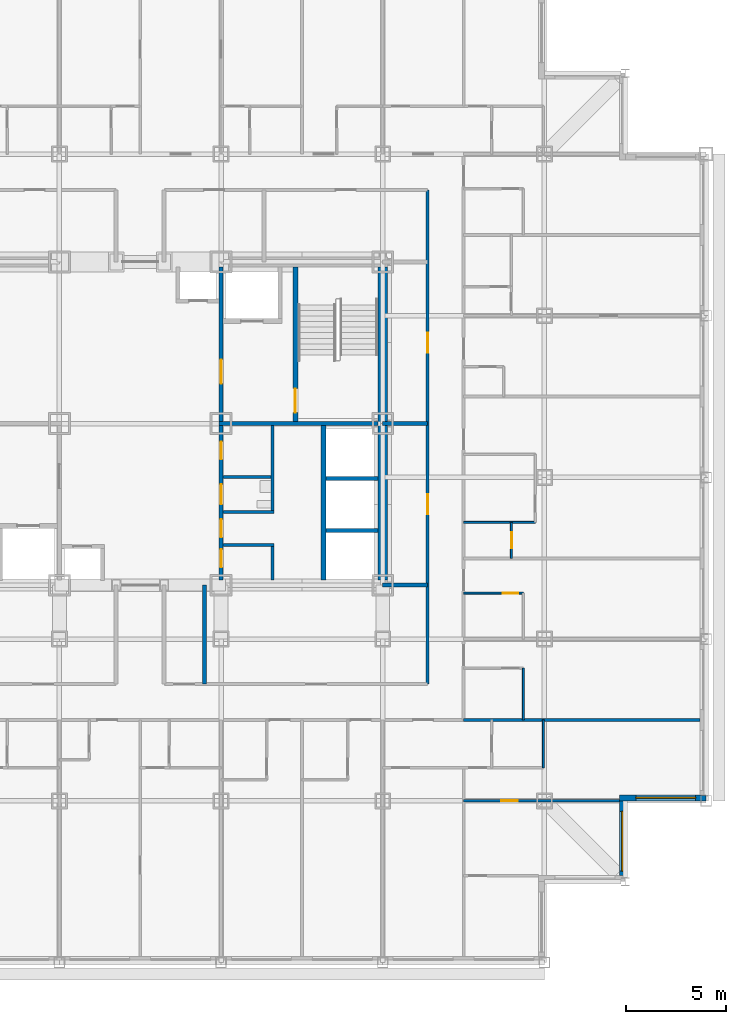
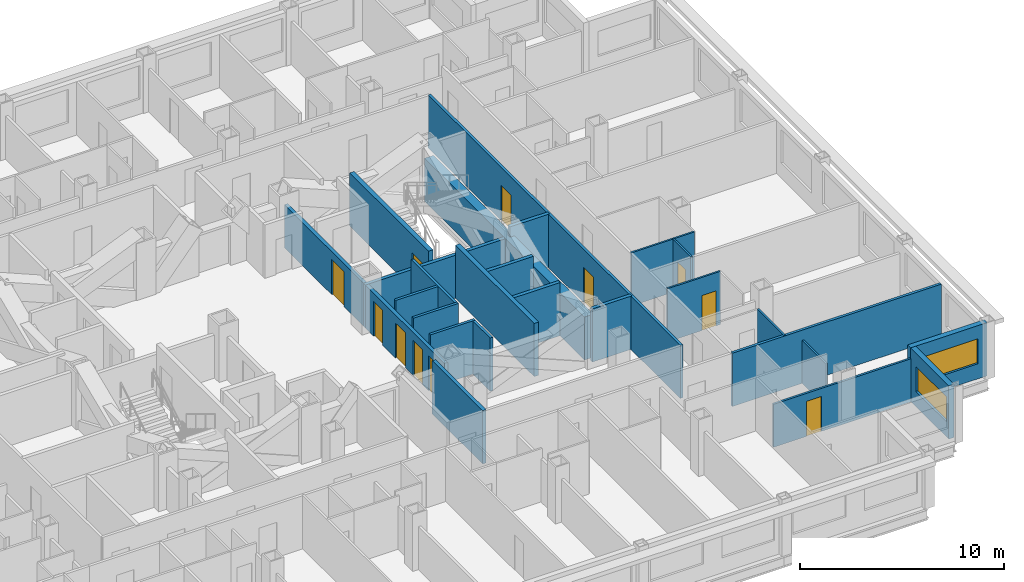
# One storey, part 8 of 15: 26 walls, 11 doors, 2 windows, 13 openings.
"""IFC4 building model written with IfcOpenShell, lengths in metres."""

import ifcopenshell
import ifcopenshell.guid

model = None  # the IFC model being written
_history = None  # IfcOwnerHistory: only IFC2X3 demands one
_inside = {}  # id of a spatial element -> (the spatial element, [elements in it])
_under = {}  # id of a project, library or spatial element -> (it, [spatial elements below it])
_declared = {}  # id of a project -> (the project, [libraries it declares])
_typed = {}  # id of a type object -> (the type object, [elements of that type])
_made_of = {}  # id of a material, layer set ... -> (it, [elements and type objects made of it])


def new_model(schema):
    """Start an empty IFC model of exactly this schema.

    Asked for "IFC4X3", IfcOpenShell would pick the latest addendum, in which some entities
    have other attributes; the version numbers below select the first issue.
    IFC2X3 requires an IfcOwnerHistory on every rooted entity: one is made here for all.
    """
    global model, _history
    if schema == "IFC4X3":
        model = ifcopenshell.file(schema_version=(4, 3, 0, 0))
    else:
        model = ifcopenshell.file(schema=schema)
    _inside.clear()
    _under.clear()
    _declared.clear()
    _typed.clear()
    _made_of.clear()
    _history = None
    if model.schema == "IFC2X3":
        org = make("IfcOrganization", Name="unknown")
        user = make(
            "IfcPersonAndOrganization",
            ThePerson=make("IfcPerson", FamilyName="unknown"),
            TheOrganization=org,
        )
        app = make(
            "IfcApplication",
            ApplicationDeveloper=org,
            Version="unknown",
            ApplicationFullName="unknown",
            ApplicationIdentifier="unknown",
        )
        _history = make(
            "IfcOwnerHistory",
            OwningUser=user,
            OwningApplication=app,
            ChangeAction="ADDED",
            CreationDate=0,
        )
    return model


def make(cls, **values):
    """One entity of the class cls with the attributes given. An attribute that is None is left unset."""
    return model.create_entity(
        cls, **{name: value for name, value in values.items() if value is not None}
    )


def rooted(cls, **values):
    """An entity with a GlobalId (a new one), such as an element, a storey or a relation."""
    return make(cls, GlobalId=ifcopenshell.guid.new(), OwnerHistory=_history, **values)


def si_unit(unit_type, name, prefix=None):
    """IfcSIUnit, for example si_unit("LENGTHUNIT", "METRE", prefix="MILLI")."""
    return make("IfcSIUnit", UnitType=unit_type, Prefix=prefix, Name=name)


def assignment(units):
    """IfcUnitAssignment: the units of a project."""
    return None if units is None else make("IfcUnitAssignment", Units=units)


def point(xyz):
    """IfcCartesianPoint."""
    return None if xyz is None else make("IfcCartesianPoint", Coordinates=xyz)


def direction(xyz):
    """IfcDirection."""
    return None if xyz is None else make("IfcDirection", DirectionRatios=xyz)


def frame(location, z_axis=None, x_axis=None):
    """IfcAxis2Placement3D, a coordinate frame: its origin and axes. An axis left out is left unset."""
    return make(
        "IfcAxis2Placement3D",
        Location=point(location),
        Axis=direction(z_axis),
        RefDirection=direction(x_axis),
    )


def frame_2d(location, x_axis=None):
    """IfcAxis2Placement2D, a coordinate frame in the plane: its origin and x axis."""
    return make(
        "IfcAxis2Placement2D", Location=point(location), RefDirection=direction(x_axis)
    )


def origin():
    """The frame at (0, 0, 0) with its axes left unset."""
    return frame((0.0, 0.0, 0.0))


def place(relative_to, where):
    """IfcLocalPlacement: puts the frame where relative to a parent placement (None: the world)."""
    return make(
        "IfcLocalPlacement", PlacementRelTo=relative_to, RelativePlacement=where
    )


def context(
    kind, dimensions, precision=None, world=None, true_north=None, identifier=None
):
    """IfcGeometricRepresentationContext, for example the 3D "Model" context."""
    return make(
        "IfcGeometricRepresentationContext",
        ContextIdentifier=identifier,
        ContextType=kind,
        CoordinateSpaceDimension=dimensions,
        Precision=precision,
        WorldCoordinateSystem=world,
        TrueNorth=true_north,
    )


def subcontext(parent, identifier, kind, view, scale=None):
    """IfcGeometricRepresentationSubContext, for example "Body" below "Model"."""
    return make(
        "IfcGeometricRepresentationSubContext",
        ContextIdentifier=identifier,
        ContextType=kind,
        ParentContext=parent,
        TargetScale=scale,
        TargetView=view,
    )


def project(units=None, contexts=None):
    """IfcProject with its units and contexts."""
    return rooted(
        "IfcProject",
        Name="project",
        RepresentationContexts=contexts,
        UnitsInContext=assignment(units),
    )


def spatial(cls, under=None, at=None, **own):
    """A site, building, storey or space (cls), placed at a placement, below another one or the project."""
    s = rooted(cls, ObjectPlacement=at, **own)
    if under is not None:
        _under.setdefault(under.id(), (under, []))[1].append(s)
    return s


def profile(cls, at=None, kind="AREA", **sizes):
    """A parametric profile (cls). Its sizes go by their IFC names, for example OverallWidth=200.0."""
    return make(cls, ProfileType=kind, Position=at, **sizes)


def rectangle(**sizes):
    """IfcRectangleProfileDef."""
    return profile("IfcRectangleProfileDef", **sizes)


def extrude(swept, where, along, depth):
    """IfcExtrudedAreaSolid: the profile swept, set in the frame where, extruded along a direction by depth."""
    return make(
        "IfcExtrudedAreaSolid",
        SweptArea=swept,
        Position=where,
        ExtrudedDirection=direction(along),
        Depth=depth,
    )


def shape(context_of_items, identifier, shape_type, items):
    """IfcShapeRepresentation: the items that make up one representation, for example the "Body"."""
    return make(
        "IfcShapeRepresentation",
        ContextOfItems=context_of_items,
        RepresentationIdentifier=identifier,
        RepresentationType=shape_type,
        Items=items,
    )


def material(Name=None, Category=None):
    """IfcMaterial."""
    return make("IfcMaterial", Name=Name, Category=Category)


def layer(
    of_material, thickness, ventilated=None, Name=None, Category=None, Priority=None
):
    """IfcMaterialLayer: one layer of a wall or slab, of a material (None: an air gap)."""
    return make(
        "IfcMaterialLayer",
        Material=of_material,
        LayerThickness=thickness,
        IsVentilated=ventilated,
        Name=Name,
        Category=Category,
        Priority=Priority,
    )


def layer_set(layers, Name=None):
    """IfcMaterialLayerSet."""
    return make("IfcMaterialLayerSet", MaterialLayers=layers, LayerSetName=Name)


def made_of(thing, what):
    """Note that an element or type object is made of a material, layer set ...; save() writes the relation."""
    if what is not None:
        _made_of.setdefault(what.id(), (what, []))[1].append(thing)
    return thing


def type_object(cls, material=None, **own):
    """A type object (cls), such as IfcWallType, which elements share."""
    return made_of(rooted(cls, **own), material)


def element(
    cls,
    number,
    at=None,
    inside=None,
    cuts=None,
    type_object=None,
    material=None,
    context=None,
    identifier="Body",
    shape_type=None,
    held_by="IfcProductDefinitionShape",
    body=None,
    shapes=None,
    **own,
):
    """One element of the class cls, such as IfcWall. Its Tag is "e" and its number.

    at: its placement. inside: the storey or other place that contains it. cuts: it is an
    opening in that element (IfcRelVoidsElement). A single representation is given by context,
    identifier, shape_type and body (its items); several are given by shapes. held_by: the class
    of the entity that holds the representations. save() writes the other relations.
    """
    e = rooted(cls, Tag="e%d" % number, ObjectPlacement=at, **own)
    if body is not None:
        shapes = [shape(context, identifier, shape_type, body)]
    if shapes is not None:
        e.Representation = make(held_by, Representations=shapes)
    if inside is not None:
        _inside.setdefault(inside.id(), (inside, []))[1].append(e)
    if cuts is not None:
        rooted(
            "IfcRelVoidsElement", RelatingBuildingElement=cuts, RelatedOpeningElement=e
        )
    if type_object is not None:
        _typed.setdefault(type_object.id(), (type_object, []))[1].append(e)
    return made_of(e, material)


def fill(opening, filler):
    """IfcRelFillsElement: the door or window that sits in an opening."""
    return rooted(
        "IfcRelFillsElement",
        RelatingOpeningElement=opening,
        RelatedBuildingElement=filler,
    )


def aggregate(whole, parts):
    """IfcRelAggregates: a whole, such as a stair, and the parts it consists of."""
    return rooted("IfcRelAggregates", RelatingObject=whole, RelatedObjects=parts)


def save(model, path):
    """Write the relations noted so far, then the file.

    IfcRelAggregates (storeys below a building ...), IfcRelContainedInSpatialStructure (elements
    in a storey), IfcRelDefinesByType, IfcRelAssociatesMaterial and IfcRelDeclares: one each for
    every whole, place, type object, material and project.
    """
    for whole, parts in _under.values():
        aggregate(whole, parts)
    for where, things in _inside.values():
        rooted(
            "IfcRelContainedInSpatialStructure",
            RelatedElements=things,
            RelatingStructure=where,
        )
    for kind, things in _typed.values():
        rooted("IfcRelDefinesByType", RelatedObjects=things, RelatingType=kind)
    for what, things in _made_of.values():
        rooted("IfcRelAssociatesMaterial", RelatedObjects=things, RelatingMaterial=what)
    for by, libraries in _declared.values():
        rooted("IfcRelDeclares", RelatingContext=by, RelatedDefinitions=libraries)
    model.write(path)


model = new_model("IFC4")

# Units and contexts
model_context = context("Model", 3, precision=1e-05, world=origin(), true_north=direction((0.0, 1.0)))
body_context = subcontext(model_context, "Body", "Model", "MODEL_VIEW")
ifc_project = project(units=[si_unit("LENGTHUNIT", "METRE"), si_unit("AREAUNIT", "SQUARE_METRE"), si_unit("VOLUMEUNIT", "CUBIC_METRE"), si_unit("PLANEANGLEUNIT", "RADIAN"), si_unit("MASSUNIT", "GRAM", prefix="KILO")], contexts=[model_context])

# Site, building, storey
site_placement = place(None, origin())
site = spatial("IfcSite", under=ifc_project, at=site_placement, CompositionType="ELEMENT")
building_placement = place(site_placement, origin())
building = spatial("IfcBuilding", under=site, at=building_placement, Name="Kopane Lantern Tower", CompositionType="ELEMENT")
storey_placement = place(building_placement, frame((0.0, 0.0, 140.800048828125)))
storey = spatial("IfcBuildingStorey", under=building, at=storey_placement, Name="L36", CompositionType="ELEMENT", Elevation=140.800048828125)

# Wall, opening, door
ifc_material_1 = material(Name="Gypsum board on steel studs", Category="steel")
ifc_layer_1 = layer(ifc_material_1, 0.1201171875)
ifc_layer_set_1 = layer_set([ifc_layer_1], Name="APARTMENT INTERNAL WALL 120")
wall_type_1 = type_object("IfcWallType", Name="APARTMENT INTERNAL WALL 120", PredefinedType="PARTITIONING", material=ifc_layer_set_1)
wall_1_placement = place(storey_placement, frame((44.550048828125, 13.5, 0.0), z_axis=(0.0, 0.0, 1.0), x_axis=(1.0, 0.0, 0.0)))
wall_1 = element("IfcWall", 1, at=wall_1_placement, inside=storey, type_object=wall_type_1, Name="Apartment Internal Wall 120 L36", PredefinedType="PARTITIONING", context=body_context, shape_type="SweptSolid", body=[
    extrude(rectangle(XDim=7.800048828125, YDim=0.1201171875, at=frame_2d((3.89990234375, 0.0))), origin(), (0.0, 0.0, 1.0), 2.57763671875),
])
opening_1_placement = place(wall_1_placement, frame((1.875, 0.0, 0.0)))
opening_1 = element("IfcOpeningElement", 2, at=opening_1_placement, cuts=wall_1, Name="Opening L36-079", PredefinedType="OPENING", context=body_context, shape_type="SweptSolid", body=[
    extrude(rectangle(XDim=0.85009765625, YDim=2.10009765625, at=frame_2d((0.425048828125, 1.050048828125))), frame((0.0, 0.070068359375, 0.0), z_axis=(0.0, -1.0, 0.0), x_axis=(1.0, 0.0, 0.0)), (0.0, 0.0, 1.0), 0.14013671875),
])
ifc_material_2 = material(Name="Timber door set", Category="wood")
door_type_1 = type_object("IfcDoorType", Name="DOOR D4 850x2100", OperationType="SINGLE_SWING_LEFT", PredefinedType="DOOR", material=ifc_material_2)
door_1_placement = place(opening_1_placement, origin())
door_1 = element("IfcDoor", 3, at=door_1_placement, inside=storey, type_object=door_type_1, Name="Door L36-079", OperationType="SINGLE_SWING_LEFT", OverallHeight=2.10009765625, OverallWidth=0.85009765625, PredefinedType="DOOR", context=body_context, shape_type="SweptSolid", body=[
    extrude(rectangle(XDim=0.85009765625, YDim=2.10009765625, at=frame_2d((0.425048828125, 1.050048828125))), frame((0.0, 0.02490234375, 0.0), z_axis=(0.0, -1.0, 0.0), x_axis=(1.0, 0.0, 0.0)), (0.0, 0.0, 1.0), 0.050048828125),
])
fill(opening_1, door_1)

# Wall
ifc_material_3 = material(Name="Moisture-resistant board on steel studs", Category="steel")
ifc_layer_2 = layer(ifc_material_3, 0.10009765625)
ifc_layer_set_2 = layer_set([ifc_layer_2], Name="BATHROOM WALL 100")
wall_type_2 = type_object("IfcWallType", Name="BATHROOM WALL 100", PredefinedType="PARTITIONING", material=ifc_layer_set_2)
wall_2_placement = place(storey_placement, frame((47.550048828125, 17.550048828125, 0.0), z_axis=(0.0, 0.0, 1.0), x_axis=(0.0, 1.0, 0.0)))
element("IfcWall", 4, at=wall_2_placement, inside=storey, type_object=wall_type_2, Name="Bathroom Wall 100 L36", PredefinedType="PARTITIONING", context=body_context, shape_type="SweptSolid", body=[
    extrude(rectangle(XDim=2.599853515625, YDim=0.10009765625, at=frame_2d((1.2998046875, 0.0))), origin(), (0.0, 0.0, 1.0), 3.18994140625),
])

# Wall, opening, door
wall_3_placement = place(storey_placement, frame((44.550048828125, 23.89990234375, 0.0), z_axis=(0.0, 0.0, 1.0), x_axis=(1.0, 0.0, 0.0)))
wall_3 = element("IfcWall", 5, at=wall_3_placement, inside=storey, type_object=wall_type_2, Name="Bathroom Wall 100 L36", PredefinedType="PARTITIONING", context=body_context, shape_type="SweptSolid", body=[
    extrude(rectangle(XDim=3.0, YDim=0.10009765625, at=frame_2d((1.5, 0.0))), origin(), (0.0, 0.0, 1.0), 3.18994140625),
])
opening_2_placement = place(wall_3_placement, frame((1.949951171875, 0.0, 0.0)))
opening_2 = element("IfcOpeningElement", 6, at=opening_2_placement, cuts=wall_3, Name="Opening L36-059", PredefinedType="OPENING", context=body_context, shape_type="SweptSolid", body=[
    extrude(rectangle(XDim=0.800048828125, YDim=2.10009765625, at=frame_2d((0.39990234375, 1.050048828125))), frame((0.0, 0.06005859375, 0.0), z_axis=(0.0, -1.0, 0.0), x_axis=(1.0, 0.0, 0.0)), (0.0, 0.0, 1.0), 0.1201171875),
])
ifc_material_4 = material(Name="Timber door set", Category="wood")
door_type_2 = type_object("IfcDoorType", Name="DOOR D2 800x2100", OperationType="SINGLE_SWING_LEFT", PredefinedType="DOOR", material=ifc_material_4)
door_2_placement = place(opening_2_placement, origin())
door_2 = element("IfcDoor", 7, at=door_2_placement, inside=storey, type_object=door_type_2, Name="Door L36-059", OperationType="SINGLE_SWING_LEFT", OverallHeight=2.10009765625, OverallWidth=0.800048828125, PredefinedType="DOOR", context=body_context, shape_type="SweptSolid", body=[
    extrude(rectangle(XDim=0.800048828125, YDim=2.10009765625, at=frame_2d((0.39990234375, 1.050048828125))), frame((0.0, 0.02490234375, 0.0), z_axis=(0.0, -1.0, 0.0), x_axis=(1.0, 0.0, 0.0)), (0.0, 0.0, 1.0), 0.050048828125),
])
fill(opening_2, door_2)

wall_4_placement = place(storey_placement, frame((46.949951171875, 25.64990234375, 0.0), z_axis=(0.0, 0.0, 1.0), x_axis=(0.0, 1.0, 0.0)))
wall_4 = element("IfcWall", 8, at=wall_4_placement, inside=storey, type_object=wall_type_2, Name="Bathroom Wall 100 L36", PredefinedType="PARTITIONING", context=body_context, shape_type="SweptSolid", body=[
    extrude(rectangle(XDim=1.800048828125, YDim=0.10009765625, at=frame_2d((0.89990234375, 0.0))), origin(), (0.0, 0.0, 1.0), 3.18994140625),
])
opening_3_placement = place(wall_4_placement, frame((0.5, 0.0, 0.0)))
opening_3 = element("IfcOpeningElement", 9, at=opening_3_placement, cuts=wall_4, Name="Opening L36-062", PredefinedType="OPENING", context=body_context, shape_type="SweptSolid", body=[
    extrude(rectangle(XDim=0.800048828125, YDim=2.10009765625, at=frame_2d((0.39990234375, 1.050048828125))), frame((0.0, 0.06005859375, 0.0), z_axis=(0.0, -1.0, 0.0), x_axis=(1.0, 0.0, 0.0)), (0.0, 0.0, 1.0), 0.1201171875),
])
door_3_placement = place(opening_3_placement, origin())
door_3 = element("IfcDoor", 10, at=door_3_placement, inside=storey, type_object=door_type_2, Name="Door L36-062", OperationType="SINGLE_SWING_RIGHT", OverallHeight=2.10009765625, OverallWidth=0.800048828125, PredefinedType="DOOR", context=body_context, shape_type="SweptSolid", body=[
    extrude(rectangle(XDim=0.800048828125, YDim=2.10009765625, at=frame_2d((0.39990234375, 1.050048828125))), frame((0.0, 0.02490234375, 0.0), z_axis=(0.0, -1.0, 0.0), x_axis=(1.0, 0.0, 0.0)), (0.0, 0.0, 1.0), 0.050048828125),
])
fill(opening_3, door_3)

# Walls
wall_5_placement = place(storey_placement, frame((44.550048828125, 27.449951171875, 0.0), z_axis=(0.0, 0.0, 1.0), x_axis=(1.0, 0.0, 0.0)))
element("IfcWall", 11, at=wall_5_placement, inside=storey, type_object=wall_type_2, Name="Bathroom Wall 100 L36", PredefinedType="PARTITIONING", context=body_context, shape_type="SweptSolid", body=[
    extrude(rectangle(XDim=3.58984375, YDim=0.10009765625, at=frame_2d((1.794921875, 0.0))), origin(), (0.0, 0.0, 1.0), 3.18994140625),
])
wall_6_placement = place(storey_placement, frame((48.550048828125, 17.550048828125, 0.0), z_axis=(0.0, 0.0, 1.0), x_axis=(0.0, -1.0, 0.0)))
element("IfcWall", 12, at=wall_6_placement, inside=storey, type_object=wall_type_2, Name="Bathroom Wall 100 L36", PredefinedType="PARTITIONING", context=body_context, shape_type="SweptSolid", body=[
    extrude(rectangle(XDim=2.400146484375, YDim=0.10009765625, at=frame_2d((1.2001953125, 0.0))), origin(), (0.0, 0.0, 1.0), 2.57763671875),
])
ifc_material_5 = material(Name="Gypsum shaft wall EI 120", Category="gypsum")
ifc_layer_3 = layer(ifc_material_5, 0.5)
ifc_layer_set_3 = layer_set([ifc_layer_3], Name="CORE PERIMETER WALL 500 EI 120")
wall_type_3 = type_object("IfcWallType", Name="CORE PERIMETER WALL 500 EI 120", PredefinedType="SOLIDWALL", material=ifc_layer_set_3)
wall_7_placement = place(storey_placement, frame((40.5, 24.550048828125, 0.0), z_axis=(0.0, 0.0, 1.0), x_axis=(0.0, 1.0, 0.0)))
element("IfcWall", 13, at=wall_7_placement, inside=storey, type_object=wall_type_3, Name="Core shaft wall L36 PE", PredefinedType="SOLIDWALL", context=body_context, shape_type="SweptSolid", body=[
    extrude(rectangle(XDim=15.699951171875, YDim=0.5, at=frame_2d((7.85009765625, 0.0))), origin(), (0.0, 0.0, 1.0), 2.57763671875),
])
ifc_material_6 = material(Name="Gypsum partition EI 60", Category="gypsum")
ifc_layer_4 = layer(ifc_material_6, 0.14990234375)
ifc_layer_set_4 = layer_set([ifc_layer_4], Name="CORE ROOM PARTITION 150 EI 60")
wall_type_4 = type_object("IfcWallType", Name="CORE ROOM PARTITION 150 EI 60", PredefinedType="PARTITIONING", material=ifc_layer_set_4)
for number, where, z_axis, x_axis, name in (
    (14, (32.5, 26.324951171875, 0.0), (0.0, 0.0, 1.0), (1.0, 0.0, 0.0), "Core room partition L36 E1"),
    (15, (32.5, 27.97509765625, 0.0), (0.0, 0.0, 1.0), (1.0, 0.0, 0.0), "Core room partition L36 E2"),
):
    element("IfcWall", number, at=place(storey_placement, frame(where, z_axis=z_axis, x_axis=x_axis)), inside=storey, type_object=wall_type_4, Name=name, PredefinedType="PARTITIONING", context=body_context, shape_type="SweptSolid", body=[
        extrude(rectangle(XDim=2.550048828125, YDim=0.14990234375, at=frame_2d((1.27490234375, 0.0))), origin(), (0.0, 0.0, 1.0), 3.18994140625),
    ])
wall_8_placement = place(storey_placement, frame((32.5, 29.72509765625, 0.0), z_axis=(0.0, 0.0, 1.0), x_axis=(1.0, 0.0, 0.0)))
element("IfcWall", 16, at=wall_8_placement, inside=storey, type_object=wall_type_4, Name="Core room partition L36 E3", PredefinedType="PARTITIONING", context=body_context, shape_type="SweptSolid", body=[
    extrude(rectangle(XDim=2.39990234375, YDim=0.14990234375, at=frame_2d((1.199951171875, 0.0))), origin(), (0.0, 0.0, 1.0), 3.18994140625),
])
wall_9_placement = place(storey_placement, frame((34.97509765625, 24.550048828125, 0.0), z_axis=(0.0, 0.0, 1.0), x_axis=(0.0, 1.0, 0.0)))
element("IfcWall", 17, at=wall_9_placement, inside=storey, type_object=wall_type_4, Name="Core room partition L36 EB0", PredefinedType="PARTITIONING", context=body_context, shape_type="SweptSolid", body=[
    extrude(rectangle(XDim=1.699951171875, YDim=0.14990234375, at=frame_2d((0.85009765625, 0.0))), origin(), (0.0, 0.0, 1.0), 3.18994140625),
])
wall_10_placement = place(storey_placement, frame((34.97509765625, 28.050048828125, 0.0), z_axis=(0.0, 0.0, 1.0), x_axis=(0.0, 1.0, 0.0)))
element("IfcWall", 18, at=wall_10_placement, inside=storey, type_object=wall_type_4, Name="Core room partition L36 EB1", PredefinedType="PARTITIONING", context=body_context, shape_type="SweptSolid", body=[
    extrude(rectangle(XDim=4.25, YDim=0.14990234375, at=frame_2d((2.125, 0.0))), origin(), (0.0, 0.0, 1.0), 3.18994140625),
])

# Wall, openings, doors
ifc_material_7 = material(Name="Gypsum partition EI 60", Category="gypsum")
ifc_layer_5 = layer(ifc_material_7, 0.199951171875)
ifc_layer_set_5 = layer_set([ifc_layer_5], Name="CORE ROOM WALL 200 EI 60")
wall_type_5 = type_object("IfcWallType", Name="CORE ROOM WALL 200 EI 60", PredefinedType="PARTITIONING", material=ifc_layer_set_5)
wall_11_placement = place(storey_placement, frame((32.39990234375, 24.550048828125, 0.0), z_axis=(0.0, 0.0, 1.0), x_axis=(0.0, 1.0, 0.0)))
wall_11 = element("IfcWall", 19, at=wall_11_placement, inside=storey, type_object=wall_type_5, Name="Core room wall L36 XE", PredefinedType="PARTITIONING", context=body_context, shape_type="SweptSolid", body=[
    extrude(rectangle(XDim=7.75, YDim=0.199951171875, at=frame_2d((3.875, 0.0))), origin(), (0.0, 0.0, 1.0), 2.57763671875),
])
opening_4_placement = place(wall_11_placement, frame((0.64990234375, 0.0, 0.0)))
opening_4 = element("IfcOpeningElement", 20, at=opening_4_placement, cuts=wall_11, Name="Opening 36.C20", PredefinedType="OPENING", context=body_context, shape_type="SweptSolid", body=[
    extrude(rectangle(XDim=0.89990234375, YDim=2.10009765625, at=frame_2d((0.449951171875, 1.050048828125))), frame((0.0, 0.10986328125, 0.0), z_axis=(0.0, -1.0, 0.0), x_axis=(1.0, 0.0, 0.0)), (0.0, 0.0, 1.0), 0.219970703125),
])
opening_5_placement = place(wall_11_placement, frame((2.14990234375, 0.0, 0.0)))
opening_5 = element("IfcOpeningElement", 21, at=opening_5_placement, cuts=wall_11, Name="Opening 36.C21", PredefinedType="OPENING", context=body_context, shape_type="SweptSolid", body=[
    extrude(rectangle(XDim=0.89990234375, YDim=2.10009765625, at=frame_2d((0.449951171875, 1.050048828125))), frame((0.0, 0.10986328125, 0.0), z_axis=(0.0, -1.0, 0.0), x_axis=(1.0, 0.0, 0.0)), (0.0, 0.0, 1.0), 0.219970703125),
])
opening_6_placement = place(wall_11_placement, frame((3.800048828125, 0.0, 0.0)))
opening_6 = element("IfcOpeningElement", 22, at=opening_6_placement, cuts=wall_11, Name="Opening 36.C22", PredefinedType="OPENING", context=body_context, shape_type="SweptSolid", body=[
    extrude(rectangle(XDim=1.0, YDim=2.10009765625, at=frame_2d((0.5, 1.050048828125))), frame((0.0, 0.10986328125, 0.0), z_axis=(0.0, -1.0, 0.0), x_axis=(1.0, 0.0, 0.0)), (0.0, 0.0, 1.0), 0.219970703125),
])
opening_7_placement = place(wall_11_placement, frame((6.050048828125, 0.0, 0.0)))
opening_7 = element("IfcOpeningElement", 23, at=opening_7_placement, cuts=wall_11, Name="Opening 36.C23", PredefinedType="OPENING", context=body_context, shape_type="SweptSolid", body=[
    extrude(rectangle(XDim=0.89990234375, YDim=2.10009765625, at=frame_2d((0.449951171875, 1.050048828125))), frame((0.0, 0.10986328125, 0.0), z_axis=(0.0, -1.0, 0.0), x_axis=(1.0, 0.0, 0.0)), (0.0, 0.0, 1.0), 0.219970703125),
])
ifc_material_8 = material(Name="Steel door set", Category="steel")
door_type_3 = type_object("IfcDoorType", Name="CORE ROOM DOOR 1000x2100 FD30S", OperationType="SINGLE_SWING_RIGHT", PredefinedType="DOOR", material=ifc_material_8)
door_4_placement = place(opening_6_placement, origin())
door_4 = element("IfcDoor", 24, at=door_4_placement, inside=storey, type_object=door_type_3, Name="Door Staff WC L36", OperationType="SINGLE_SWING_RIGHT", OverallHeight=2.10009765625, OverallWidth=1.0, PredefinedType="DOOR", context=body_context, shape_type="SweptSolid", body=[
    extrude(rectangle(XDim=1.0, YDim=2.10009765625, at=frame_2d((0.5, 1.050048828125))), frame((0.0, 0.02490234375, 0.0), z_axis=(0.0, -1.0, 0.0), x_axis=(1.0, 0.0, 0.0)), (0.0, 0.0, 1.0), 0.050048828125),
])
fill(opening_6, door_4)
ifc_material_9 = material(Name="Steel door set", Category="steel")
door_type_4 = type_object("IfcDoorType", Name="CORE ROOM DOOR 900x2100 FD60", OperationType="SINGLE_SWING_LEFT", PredefinedType="DOOR", material=ifc_material_9)
door_5_placement = place(opening_4_placement, origin())
door_5 = element("IfcDoor", 25, at=door_5_placement, inside=storey, type_object=door_type_4, Name="Door Cleaner store L36", OperationType="SINGLE_SWING_LEFT", OverallHeight=2.10009765625, OverallWidth=0.89990234375, PredefinedType="DOOR", context=body_context, shape_type="SweptSolid", body=[
    extrude(rectangle(XDim=0.89990234375, YDim=2.10009765625, at=frame_2d((0.449951171875, 1.050048828125))), frame((0.0, 0.02490234375, 0.0), z_axis=(0.0, -1.0, 0.0), x_axis=(1.0, 0.0, 0.0)), (0.0, 0.0, 1.0), 0.050048828125),
])
fill(opening_4, door_5)
door_6_placement = place(opening_5_placement, origin())
door_6 = element("IfcDoor", 26, at=door_6_placement, inside=storey, type_object=door_type_4, Name="Door Housekeeping store L36", OperationType="SINGLE_SWING_LEFT", OverallHeight=2.10009765625, OverallWidth=0.89990234375, PredefinedType="DOOR", context=body_context, shape_type="SweptSolid", body=[
    extrude(rectangle(XDim=0.89990234375, YDim=2.10009765625, at=frame_2d((0.449951171875, 1.050048828125))), frame((0.0, 0.02490234375, 0.0), z_axis=(0.0, -1.0, 0.0), x_axis=(1.0, 0.0, 0.0)), (0.0, 0.0, 1.0), 0.050048828125),
])
fill(opening_5, door_6)
door_7_placement = place(opening_7_placement, origin())
door_7 = element("IfcDoor", 27, at=door_7_placement, inside=storey, type_object=door_type_4, Name="Door IT room L36", OperationType="SINGLE_SWING_LEFT", OverallHeight=2.10009765625, OverallWidth=0.89990234375, PredefinedType="DOOR", context=body_context, shape_type="SweptSolid", body=[
    extrude(rectangle(XDim=0.89990234375, YDim=2.10009765625, at=frame_2d((0.449951171875, 1.050048828125))), frame((0.0, 0.02490234375, 0.0), z_axis=(0.0, -1.0, 0.0), x_axis=(1.0, 0.0, 0.0)), (0.0, 0.0, 1.0), 0.050048828125),
])
fill(opening_7, door_7)

# Wall
ifc_material_10 = material(Name="Gypsum shaft wall EI 120", Category="gypsum")
ifc_layer_6 = layer(ifc_material_10, 0.25)
ifc_layer_set_6 = layer_set([ifc_layer_6], Name="CORE SHAFT WALL 250 EI 120")
wall_type_6 = type_object("IfcWallType", Name="CORE SHAFT WALL 250 EI 120", PredefinedType="SOLIDWALL", material=ifc_layer_set_6)
wall_12_placement = place(storey_placement, frame((37.52490234375, 24.550048828125, 0.0), z_axis=(0.0, 0.0, 1.0), x_axis=(0.0, 1.0, 0.0)))
element("IfcWall", 28, at=wall_12_placement, inside=storey, type_object=wall_type_6, Name="Core shaft wall L36 XLR", PredefinedType="SOLIDWALL", context=body_context, shape_type="SweptSolid", body=[
    extrude(rectangle(XDim=7.75, YDim=0.25, at=frame_2d((3.875, 0.0))), origin(), (0.0, 0.0, 1.0), 3.18994140625),
])

# Wall, opening, door
wall_13_placement = place(storey_placement, frame((36.125, 32.5, 0.0), z_axis=(0.0, 0.0, 1.0), x_axis=(0.0, 1.0, 0.0)))
wall_13 = element("IfcWall", 29, at=wall_13_placement, inside=storey, type_object=wall_type_6, Name="Core shaft wall L36 XST2", PredefinedType="SOLIDWALL", context=body_context, shape_type="SweptSolid", body=[
    extrude(rectangle(XDim=7.75, YDim=0.25, at=frame_2d((3.875, 0.0))), origin(), (0.0, 0.0, 1.0), 3.18994140625),
])
opening_8_placement = place(wall_13_placement, frame((0.449951171875, 0.0, 0.0)))
opening_8 = element("IfcOpeningElement", 30, at=opening_8_placement, cuts=wall_13, Name="Opening 36.SD2", PredefinedType="OPENING", context=body_context, shape_type="SweptSolid", body=[
    extrude(rectangle(XDim=1.199951171875, YDim=2.10009765625, at=frame_2d((0.60009765625, 1.050048828125))), frame((0.0, 0.135009765625, 0.0), z_axis=(0.0, -1.0, 0.0), x_axis=(1.0, 0.0, 0.0)), (0.0, 0.0, 1.0), 0.27001953125),
])
ifc_material_11 = material(Name="Steel door set", Category="steel")
door_type_5 = type_object("IfcDoorType", Name="STAIR DOOR 1200x2100 FD60S", OperationType="SINGLE_SWING_LEFT", PredefinedType="DOOR", material=ifc_material_11)
door_8_placement = place(opening_8_placement, origin())
door_8 = element("IfcDoor", 31, at=door_8_placement, inside=storey, type_object=door_type_5, Name="Stair door ST2 L36", OperationType="SINGLE_SWING_RIGHT", OverallHeight=2.10009765625, OverallWidth=1.199951171875, PredefinedType="DOOR", context=body_context, shape_type="SweptSolid", body=[
    extrude(rectangle(XDim=1.199951171875, YDim=2.10009765625, at=frame_2d((0.60009765625, 1.050048828125))), frame((0.0, 0.02490234375, 0.0), z_axis=(0.0, -1.0, 0.0), x_axis=(1.0, 0.0, 0.0)), (0.0, 0.0, 1.0), 0.050048828125),
])
fill(opening_8, door_8)

# Wall, openings, doors
ifc_material_12 = material(Name="Gypsum board on steel studs", Category="steel")
ifc_layer_7 = layer(ifc_material_12, 0.14990234375)
ifc_layer_set_7 = layer_set([ifc_layer_7], Name="CORRIDOR WALL 150 EI 60")
wall_type_7 = type_object("IfcWallType", Name="CORRIDOR WALL 150 EI 60", PredefinedType="PARTITIONING", material=ifc_layer_set_7)
wall_14_placement = place(storey_placement, frame((42.75, 19.35009765625, 0.0), z_axis=(0.0, 0.0, 1.0), x_axis=(0.0, 1.0, 0.0)))
wall_14 = element("IfcWall", 32, at=wall_14_placement, inside=storey, type_object=wall_type_7, Name="Corridor Wall 150 Ei 60 L36", PredefinedType="PARTITIONING", context=body_context, shape_type="SweptSolid", body=[
    extrude(rectangle(XDim=24.75, YDim=0.14990234375, at=frame_2d((12.375, 0.0))), origin(), (0.0, 0.0, 1.0), 3.18994140625),
])
opening_9_placement = place(wall_14_placement, frame((8.5, 0.0, 0.0)))
opening_9 = element("IfcOpeningElement", 33, at=opening_9_placement, cuts=wall_14, Name="Opening L36-005", PredefinedType="OPENING", context=body_context, shape_type="SweptSolid", body=[
    extrude(rectangle(XDim=1.0, YDim=2.10009765625, at=frame_2d((0.5, 1.050048828125))), frame((0.0, 0.0849609375, 0.0), z_axis=(0.0, -1.0, 0.0), x_axis=(1.0, 0.0, 0.0)), (0.0, 0.0, 1.0), 0.169921875),
])
opening_10_placement = place(wall_14_placement, frame((16.60009765625, 0.0, 0.0)))
opening_10 = element("IfcOpeningElement", 34, at=opening_10_placement, cuts=wall_14, Name="Opening L36-006", PredefinedType="OPENING", context=body_context, shape_type="SweptSolid", body=[
    extrude(rectangle(XDim=1.0, YDim=2.10009765625, at=frame_2d((0.5, 1.050048828125))), frame((0.0, 0.0849609375, 0.0), z_axis=(0.0, -1.0, 0.0), x_axis=(1.0, 0.0, 0.0)), (0.0, 0.0, 1.0), 0.169921875),
])
ifc_material_13 = material(Name="Steel door set", Category="steel")
door_type_6 = type_object("IfcDoorType", Name="DOOR D5 1000x2100 FD60", OperationType="SINGLE_SWING_LEFT", PredefinedType="DOOR", material=ifc_material_13)
door_9_placement = place(opening_9_placement, origin())
door_9 = element("IfcDoor", 35, at=door_9_placement, inside=storey, type_object=door_type_6, Name="Door L36-005", OperationType="SINGLE_SWING_LEFT", OverallHeight=2.10009765625, OverallWidth=1.0, PredefinedType="DOOR", context=body_context, shape_type="SweptSolid", body=[
    extrude(rectangle(XDim=1.0, YDim=2.10009765625, at=frame_2d((0.5, 1.050048828125))), frame((0.0, 0.02490234375, 0.0), z_axis=(0.0, -1.0, 0.0), x_axis=(1.0, 0.0, 0.0)), (0.0, 0.0, 1.0), 0.050048828125),
])
fill(opening_9, door_9)
door_10_placement = place(opening_10_placement, origin())
door_10 = element("IfcDoor", 36, at=door_10_placement, inside=storey, type_object=door_type_6, Name="Door L36-006", OperationType="SINGLE_SWING_RIGHT", OverallHeight=2.10009765625, OverallWidth=1.0, PredefinedType="DOOR", context=body_context, shape_type="SweptSolid", body=[
    extrude(rectangle(XDim=1.0, YDim=2.10009765625, at=frame_2d((0.5, 1.050048828125))), frame((0.0, 0.02490234375, 0.0), z_axis=(0.0, -1.0, 0.0), x_axis=(1.0, 0.0, 0.0)), (0.0, 0.0, 1.0), 0.050048828125),
])
fill(opening_10, door_10)

# Wall
ifc_material_14 = material(Name="Gypsum board on steel studs", Category="steel")
ifc_layer_8 = layer(ifc_material_14, 0.14990234375)
ifc_layer_set_8 = layer_set([ifc_layer_8], Name="DEMISING WALL 150 EI 60")
wall_type_8 = type_object("IfcWallType", Name="DEMISING WALL 150 EI 60", PredefinedType="PARTITIONING", material=ifc_layer_set_8)
wall_15_placement = place(storey_placement, frame((44.550048828125, 17.550048828125, 0.0), z_axis=(0.0, 0.0, 1.0), x_axis=(1.0, 0.0, 0.0)))
element("IfcWall", 37, at=wall_15_placement, inside=storey, type_object=wall_type_8, Name="Demising Wall 150 Ei 60 L36", PredefinedType="PARTITIONING", context=body_context, shape_type="SweptSolid", body=[
    extrude(rectangle(XDim=11.849853515625, YDim=0.14990234375, at=frame_2d((5.9248046875, 0.0))), origin(), (0.0, 0.0, 1.0), 3.18994140625),
])

# Wall, opening, window
ifc_material_15 = material(Name="Terracotta rainscreen on light steel framing", Category="masonry")
ifc_layer_9 = layer(ifc_material_15, 0.300048828125)
ifc_layer_set_9 = layer_set([ifc_layer_9], Name="EXTERNAL WALL EW1 300 TERRACOTTA")
wall_type_9 = type_object("IfcWallType", Name="EXTERNAL WALL EW1 300 TERRACOTTA", PredefinedType="SOLIDWALL", material=ifc_layer_set_9)
wall_16_placement = place(storey_placement, frame((52.5, 9.75, 0.0), z_axis=(0.0, 0.0, 1.0), x_axis=(0.0, 1.0, 0.0)))
wall_16 = element("IfcWall", 38, at=wall_16_placement, inside=storey, type_object=wall_type_9, Name="External wall E L36", PredefinedType="SOLIDWALL", context=body_context, shape_type="SweptSolid", body=[
    extrude(rectangle(XDim=3.75, YDim=0.300048828125, at=frame_2d((1.875, 0.0))), origin(), (0.0, 0.0, 1.0), 3.18994140625),
])
opening_11_placement = place(wall_16_placement, frame((0.22509765625, 0.0, 0.89990234375)))
opening_11 = element("IfcOpeningElement", 39, at=opening_11_placement, cuts=wall_16, Name="Opening WR300150", PredefinedType="OPENING", context=body_context, shape_type="SweptSolid", body=[
    extrude(rectangle(XDim=3.0, YDim=1.5, at=frame_2d((1.5, 0.75))), frame((0.0, 0.159912109375, 0.0), z_axis=(0.0, -1.0, 0.0), x_axis=(1.0, 0.0, 0.0)), (0.0, 0.0, 1.0), 0.320068359375),
])
ifc_material_16 = material(Name="Aluminium and clear glass", Category="aluminium")
window_type = type_object("IfcWindowType", Name="RIBBON WINDOW WR300150 3000x1500", PartitioningType="SINGLE_PANEL", PredefinedType="WINDOW", material=ifc_material_16)
window_1_placement = place(opening_11_placement, origin())
window_1 = element("IfcWindow", 40, at=window_1_placement, inside=storey, type_object=window_type, Name="Window E L36", OverallHeight=1.5, OverallWidth=3.0, PartitioningType="SINGLE_PANEL", PredefinedType="WINDOW", context=body_context, shape_type="SweptSolid", body=[
    extrude(rectangle(XDim=3.0, YDim=1.5, at=frame_2d((1.5, 0.75))), frame((0.0, 0.030029296875, 0.0), z_axis=(0.0, -1.0, 0.0), x_axis=(1.0, 0.0, 0.0)), (0.0, 0.0, 1.0), 0.06005859375),
])
fill(opening_11, window_1)

wall_17_placement = place(storey_placement, frame((52.35009765625, 13.64990234375, 0.0), z_axis=(0.0, 0.0, 1.0), x_axis=(1.0, 0.0, 0.0)))
wall_17 = element("IfcWall", 41, at=wall_17_placement, inside=storey, type_object=wall_type_9, Name="External wall S L36", PredefinedType="SOLIDWALL", context=body_context, shape_type="SweptSolid", body=[
    extrude(rectangle(XDim=4.349853515625, YDim=0.300048828125, at=frame_2d((2.1748046875, 0.0))), origin(), (0.0, 0.0, 1.0), 3.18994140625),
])
opening_12_placement = place(wall_17_placement, frame((0.824951171875, 0.0, 0.89990234375)))
opening_12 = element("IfcOpeningElement", 42, at=opening_12_placement, cuts=wall_17, Name="Opening WR300150", PredefinedType="OPENING", context=body_context, shape_type="SweptSolid", body=[
    extrude(rectangle(XDim=3.0, YDim=1.5, at=frame_2d((1.5, 0.75))), frame((0.0, 0.159912109375, 0.0), z_axis=(0.0, -1.0, 0.0), x_axis=(1.0, 0.0, 0.0)), (0.0, 0.0, 1.0), 0.320068359375),
])
window_2_placement = place(opening_12_placement, origin())
window_2 = element("IfcWindow", 43, at=window_2_placement, inside=storey, type_object=window_type, Name="Window S L36", OverallHeight=1.5, OverallWidth=3.0, PartitioningType="SINGLE_PANEL", PredefinedType="WINDOW", context=body_context, shape_type="SweptSolid", body=[
    extrude(rectangle(XDim=3.0, YDim=1.5, at=frame_2d((1.5, 0.75))), frame((0.0, 0.030029296875, 0.0), z_axis=(0.0, -1.0, 0.0), x_axis=(1.0, 0.0, 0.0)), (0.0, 0.0, 1.0), 0.06005859375),
])
fill(opening_12, window_2)

# Walls
ifc_material_17 = material(Name="Concrete masonry", Category="masonry")
ifc_layer_10 = layer(ifc_material_17, 0.199951171875)
ifc_layer_set_10 = layer_set([ifc_layer_10], Name="PLANT ROOM WALL 200 EI 120")
wall_type_10 = type_object("IfcWallType", Name="PLANT ROOM WALL 200 EI 120", PredefinedType="SOLIDWALL", material=ifc_layer_set_10)
wall_18_placement = place(storey_placement, frame((40.5, 32.39990234375, 0.0), z_axis=(0.0, 0.0, 1.0), x_axis=(1.0, 0.0, 0.0)))
element("IfcWall", 44, at=wall_18_placement, inside=storey, type_object=wall_type_10, Name="Plant Room Wall 200 Ei 120 L36", PredefinedType="SOLIDWALL", context=body_context, shape_type="SweptSolid", body=[
    extrude(rectangle(XDim=2.25, YDim=0.199951171875, at=frame_2d((1.125, 0.0))), origin(), (0.0, 0.0, 1.0), 3.18994140625),
])
wall_19_placement = place(storey_placement, frame((31.5703125, 19.35009765625, 0.0), z_axis=(0.0, 0.0, 1.0), x_axis=(0.0, 1.0, 0.0)))
element("IfcWall", 45, at=wall_19_placement, inside=storey, type_object=wall_type_10, Name="Plant Room Wall 200 Ei 120 L36", PredefinedType="SOLIDWALL", context=body_context, shape_type="SweptSolid", body=[
    extrude(rectangle(XDim=4.949951171875, YDim=0.199951171875, at=frame_2d((2.47509765625, 0.0))), origin(), (0.0, 0.0, 1.0), 3.18994140625),
])
wall_20_placement = place(storey_placement, frame((40.5, 24.300048828125, 0.0), z_axis=(0.0, 0.0, 1.0), x_axis=(1.0, 0.0, 0.0)))
element("IfcWall", 46, at=wall_20_placement, inside=storey, type_object=wall_type_10, Name="Plant Room Wall 200 Ei 120 L36", PredefinedType="SOLIDWALL", context=body_context, shape_type="SweptSolid", body=[
    extrude(rectangle(XDim=2.25, YDim=0.199951171875, at=frame_2d((1.125, 0.0))), origin(), (0.0, 0.0, 1.0), 3.18994140625),
])
ifc_material_18 = material(Name="Gypsum shaft wall EI 120", Category="gypsum")
ifc_layer_11 = layer(ifc_material_18, 0.199951171875)
ifc_layer_set_11 = layer_set([ifc_layer_11], Name="SHAFT WALL 200 EI 120")
wall_type_11 = type_object("IfcWallType", Name="SHAFT WALL 200 EI 120", PredefinedType="SOLIDWALL", material=ifc_layer_set_11)
wall_21_placement = place(storey_placement, frame((32.300048828125, 32.39990234375, 0.0), z_axis=(0.0, 0.0, 1.0), x_axis=(1.0, 0.0, 0.0)))
element("IfcWall", 47, at=wall_21_placement, inside=storey, type_object=wall_type_11, Name="Core shaft wall L36 Y324E", PredefinedType="SOLIDWALL", context=body_context, shape_type="SweptSolid", body=[
    extrude(rectangle(XDim=7.949951171875, YDim=0.199951171875, at=frame_2d((3.97509765625, 0.0))), origin(), (0.0, 0.0, 1.0), 2.57763671875),
])

# Wall, opening, door
wall_22_placement = place(storey_placement, frame((32.39990234375, 32.5, 0.0), z_axis=(0.0, 0.0, 1.0), x_axis=(0.0, 1.0, 0.0)))
wall_22 = element("IfcWall", 48, at=wall_22_placement, inside=storey, type_object=wall_type_11, Name="Core shaft wall L36 X324", PredefinedType="SOLIDWALL", context=body_context, shape_type="SweptSolid", body=[
    extrude(rectangle(XDim=7.75, YDim=0.199951171875, at=frame_2d((3.875, 0.0))), origin(), (0.0, 0.0, 1.0), 2.57763671875),
])
opening_13_placement = place(wall_22_placement, frame((1.89990234375, 0.0, 0.0)))
opening_13 = element("IfcOpeningElement", 49, at=opening_13_placement, cuts=wall_22, Name="Opening 36.FL2", PredefinedType="OPENING", context=body_context, shape_type="SweptSolid", body=[
    extrude(rectangle(XDim=1.199951171875, YDim=2.10009765625, at=frame_2d((0.60009765625, 1.050048828125))), frame((0.0, 0.10986328125, 0.0), z_axis=(0.0, -1.0, 0.0), x_axis=(1.0, 0.0, 0.0)), (0.0, 0.0, 1.0), 0.219970703125),
])
ifc_material_19 = material(Name="Steel door set", Category="steel")
door_type_7 = type_object("IfcDoorType", Name="FIREFIGHTING LOBBY DOOR 1200x2100 FD60S", OperationType="SINGLE_SWING_RIGHT", PredefinedType="DOOR", material=ifc_material_19)
door_11_placement = place(opening_13_placement, origin())
door_11 = element("IfcDoor", 50, at=door_11_placement, inside=storey, type_object=door_type_7, Name="Firefighting lobby door FL2 L36", OperationType="SINGLE_SWING_LEFT", OverallHeight=2.10009765625, OverallWidth=1.199951171875, PredefinedType="DOOR", context=body_context, shape_type="SweptSolid", body=[
    extrude(rectangle(XDim=1.199951171875, YDim=2.10009765625, at=frame_2d((0.60009765625, 1.050048828125))), frame((0.0, 0.02490234375, 0.0), z_axis=(0.0, -1.0, 0.0), x_axis=(1.0, 0.0, 0.0)), (0.0, 0.0, 1.0), 0.050048828125),
])
fill(opening_13, door_11)

# Walls
for number, where, z_axis, x_axis, name in (
    (51, (37.64990234375, 27.050048828125, 0.0), (0.0, 0.0, 1.0), (1.0, 0.0, 0.0), "Core shaft wall L36 YLR12"),
    (52, (37.64990234375, 29.64990234375, 0.0), (0.0, 0.0, 1.0), (1.0, 0.0, 0.0), "Core shaft wall L36 YLR23"),
):
    element("IfcWall", number, at=place(storey_placement, frame(where, z_axis=z_axis, x_axis=x_axis)), inside=storey, type_object=wall_type_11, Name=name, PredefinedType="SOLIDWALL", context=body_context, shape_type="SweptSolid", body=[
        extrude(rectangle(XDim=2.60009765625, YDim=0.199951171875, at=frame_2d((1.300048828125, 0.0))), origin(), (0.0, 0.0, 1.0), 3.18994140625),
    ])

save(model, "model.ifc")
